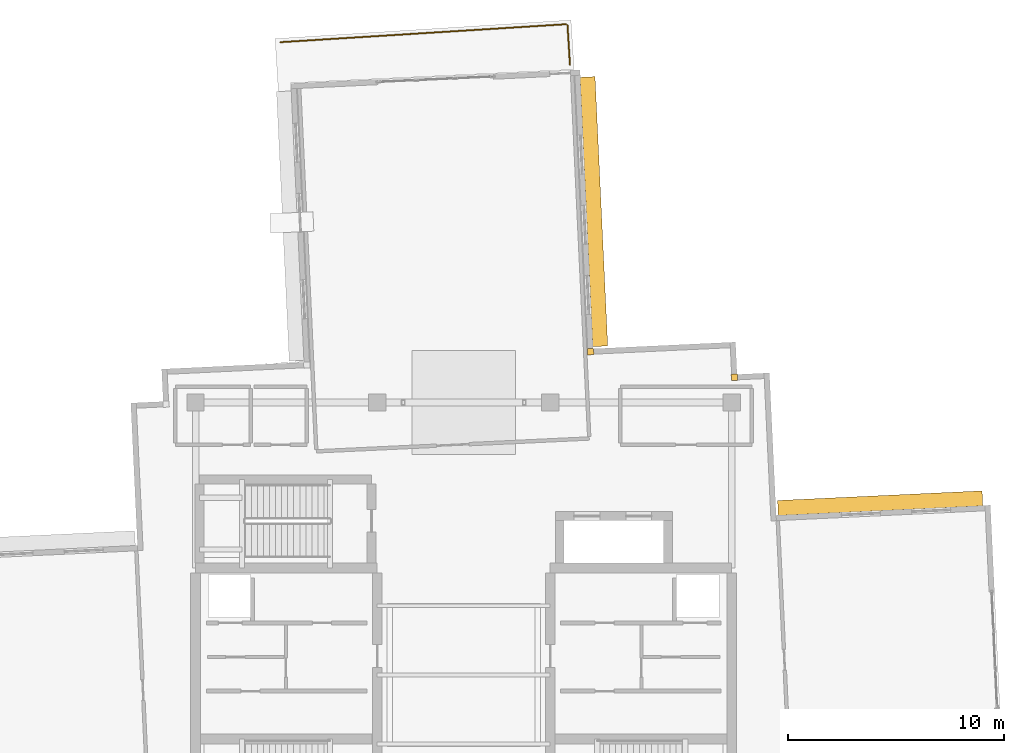
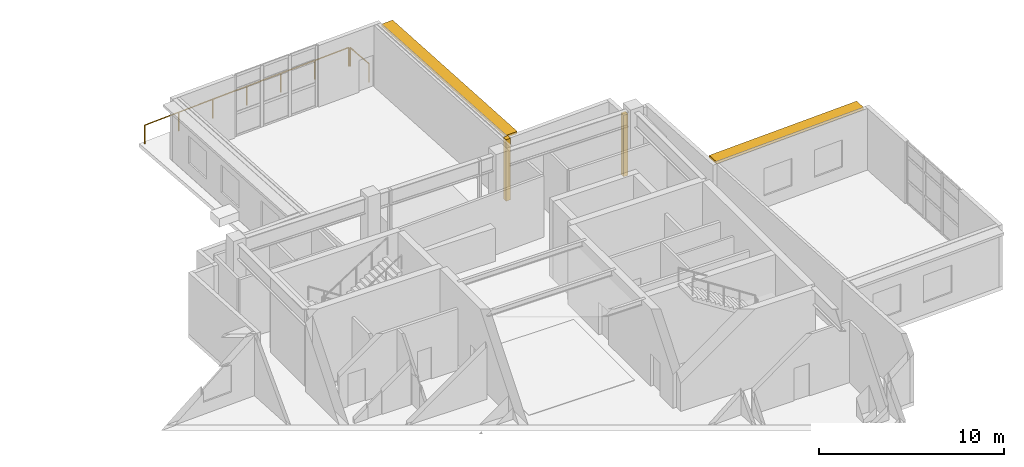
# One storey, part 21 of 22: 2 coverings, 2 railings, 2 shading devices.
"""IFC4 building model written with IfcOpenShell, lengths in metres."""

from ifc_helpers import new_model, si_unit, direction, frame, origin, origin_2d, place, context, subcontext, project, spatial, rectangle, circle, extrude, material, layer, layer_set, type_object, element, save


model = new_model("IFC4")

# Units and contexts
model_context = context("Model", 3, precision=1e-05, world=origin(), true_north=direction((0.0, 1.0)))
body_context = subcontext(model_context, "Body", "Model", "MODEL_VIEW")
ifc_project = project(units=[si_unit("LENGTHUNIT", "METRE"), si_unit("AREAUNIT", "SQUARE_METRE"), si_unit("VOLUMEUNIT", "CUBIC_METRE"), si_unit("PLANEANGLEUNIT", "RADIAN"), si_unit("MASSUNIT", "GRAM", prefix="KILO")], contexts=[model_context])

# Site, building, storey
site_placement = place(None, origin())
site = spatial("IfcSite", under=ifc_project, at=site_placement, CompositionType="ELEMENT")
building_placement = place(site_placement, origin())
building = spatial("IfcBuilding", under=site, at=building_placement, Name="Qingluan Cross Belvedere", CompositionType="ELEMENT")
storey_placement = place(building_placement, frame((0.0, 0.0, 294.0)))
storey = spatial("IfcBuildingStorey", under=building, at=storey_placement, Name="L73", CompositionType="ELEMENT", Elevation=294.0)

# Coverings
ifc_material_1 = material(Name="Precast concrete C45", Category="concrete")
ifc_layer_1 = layer(ifc_material_1, 0.1201171875, Name="ConcreteSpandrelCladding_120")
ifc_layer_set_1 = layer_set([ifc_layer_1], Name="Precast concrete C45")
covering_type = type_object("IfcCoveringType", Name="ConcreteSpandrelCladding_120", PredefinedType="CLADDING", material=ifc_layer_set_1)
for number, where, z_axis, x_axis, name in (
    (1, (12.525390625, 13.765380859375, 0.0), (0.0, 0.0, 1.0), (0.998889874962, 0.04710645071, 0.0), "Corner closure L73-NE1"),
    (2, (5.8720703125, 14.953125, 0.0), (0.0, 0.0, 1.0), (0.998889874962, 0.04710645071, 0.0), "Corner closure L73-NE2"),
):
    element("IfcCovering", number, at=place(storey_placement, frame(where, z_axis=z_axis, x_axis=x_axis)), inside=storey, type_object=covering_type, Name=name, PredefinedType="CLADDING", context=body_context, shape_type="SweptSolid", body=[
        extrude(rectangle(XDim=0.2900390625, YDim=0.2900390625, at=origin_2d()), origin(), (0.0, 0.0, 1.0), 4.06005859375),
    ])

# Shading devices
ifc_material_2 = material(Name="Precast concrete C45", Category="concrete")
ifc_layer_2 = layer(ifc_material_2, 0.139892578125, Name="ConcreteSunshadeBand_700")
ifc_layer_set_2 = layer_set([ifc_layer_2], Name="Precast concrete C45")
shading_device_type = type_object("IfcShadingDeviceType", Name="ConcreteSunshadeBand_700", PredefinedType="USERDEFINED", material=ifc_layer_set_2)
shading_device_1_placement = place(storey_placement, frame((19.267333984375, 7.94140625, 3.8798828125), z_axis=(0.0, 0.0, 1.0), x_axis=(-0.998889977265, -0.047104281337, 0.0)))
element("IfcShadingDevice", 3, at=shading_device_1_placement, inside=storey, type_object=shading_device_type, Name="Concrete SUNSHADE L73-EB", ObjectType="SUNSHADE", PredefinedType="USERDEFINED", context=body_context, shape_type="SweptSolid", body=[
    extrude(rectangle(XDim=9.469970703125, YDim=0.699951171875, at=origin_2d()), origin(), (0.0, 0.0, 1.0), 0.159912109375),
])
shading_device_2_placement = place(storey_placement, frame((6.022216796875, 21.427490234375, 3.8798828125), z_axis=(0.0, 0.0, 1.0), x_axis=(-0.047103529552, 0.998890012716, 0.0)))
element("IfcShadingDevice", 4, at=shading_device_2_placement, inside=storey, type_object=shading_device_type, Name="Concrete SUNSHADE L73-NA", ObjectType="SUNSHADE", PredefinedType="USERDEFINED", context=body_context, shape_type="SweptSolid", body=[
    extrude(rectangle(XDim=12.469970703125, YDim=0.699951171875, at=origin_2d()), origin(), (0.0, 0.0, 1.0), 0.159912109375),
])

# Railings
ifc_material_3 = material(Name="Laminated safety glass and stainless steel balustrade", Category="steel")
railing_type = type_object("IfcRailingType", Name="ObservationGuardBalustrade_1250", PredefinedType="BALUSTRADE", material=ifc_material_3)
railing_1_placement = place(storey_placement, frame((-8.474365234375, 29.265625, 0.0)))
element("IfcRailing", 5, at=railing_1_placement, inside=storey, type_object=railing_type, Name="Terrace guard L73-1", PredefinedType="BALUSTRADE", context=body_context, shape_type="SweptSolid", body=[
    extrude(circle(Radius=0.02392578125, at=origin_2d()), frame((0.0, 0.0, 1.22607421875), z_axis=(0.998026951964, 0.062786966437, 0.0), x_axis=(-0.062786966437, 0.998026951964, 0.0)), (0.0, 0.0, 1.0), 13.239990234375),
    extrude(circle(Radius=0.02099609375, at=origin_2d()), origin(), (0.0, 0.0, 1.0), 1.201904296875),
    extrude(circle(Radius=0.02099609375, at=origin_2d()), frame((2.202392578125, 0.138671875, 0.0)), (0.0, 0.0, 1.0), 1.201904296875),
    extrude(circle(Radius=0.02099609375, at=origin_2d()), frame((4.404541015625, 0.277099609375, 0.0)), (0.0, 0.0, 1.0), 1.201904296875),
    extrude(circle(Radius=0.02099609375, at=origin_2d()), frame((6.60693359375, 0.41552734375, 0.0)), (0.0, 0.0, 1.0), 1.201904296875),
    extrude(circle(Radius=0.02099609375, at=origin_2d()), frame((8.809326171875, 0.55419921875, 0.0)), (0.0, 0.0, 1.0), 1.201904296875),
    extrude(circle(Radius=0.02099609375, at=origin_2d()), frame((11.011474609375, 0.69287109375, 0.0)), (0.0, 0.0, 1.0), 1.201904296875),
    extrude(circle(Radius=0.02099609375, at=origin_2d()), frame((13.2138671875, 0.831298828125, 0.0)), (0.0, 0.0, 1.0), 1.201904296875),
])
railing_2_placement = place(storey_placement, frame((4.80322265625, 30.041015625, 0.0)))
element("IfcRailing", 6, at=railing_2_placement, inside=storey, type_object=railing_type, Name="Terrace guard L73-2", PredefinedType="BALUSTRADE", context=body_context, shape_type="SweptSolid", body=[
    extrude(circle(Radius=0.02392578125, at=origin_2d()), frame((0.0, 0.0, 1.22607421875), z_axis=(0.062754750614, -0.998028978174, 0.0), x_axis=(0.998028978174, 0.062754750614, 0.0)), (0.0, 0.0, 1.0), 1.81689453125),
    extrude(circle(Radius=0.02099609375, at=origin_2d()), origin(), (0.0, 0.0, 1.0), 1.201904296875),
    extrude(circle(Radius=0.02099609375, at=origin_2d()), frame((0.114013671875, -1.813232421875, 0.0)), (0.0, 0.0, 1.0), 1.201904296875),
])

save(model, "model.ifc")
